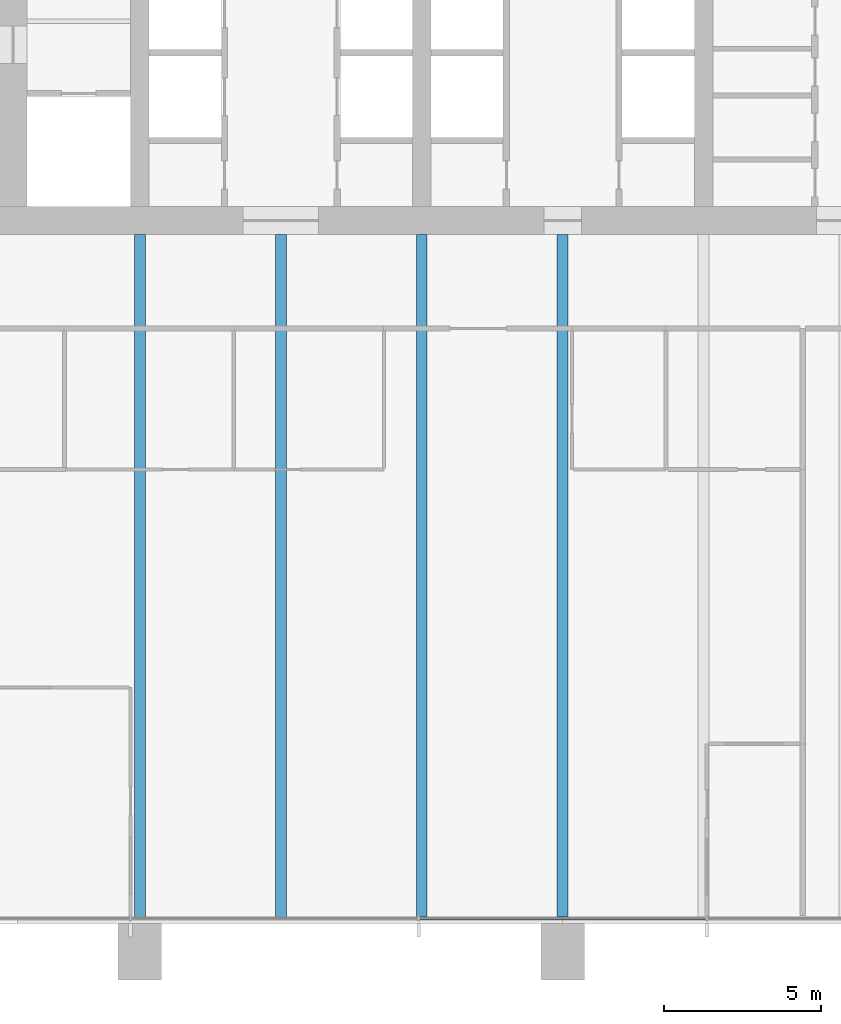
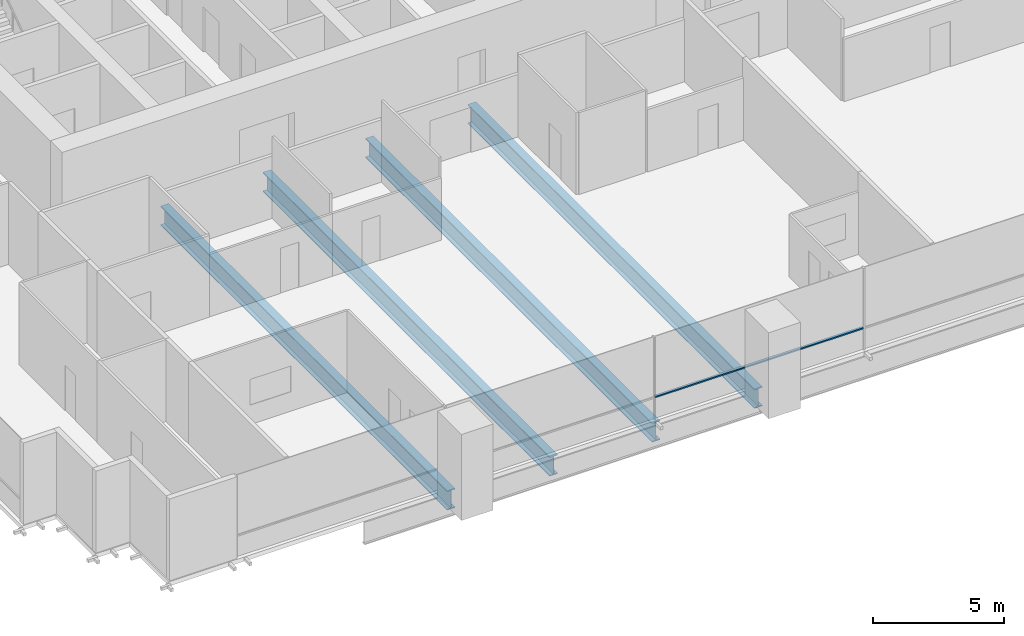
# One storey, part 3 of 16: 4 beams, 1 member, 1 element without a shape of its own.
"""IFC4 building model written with IfcOpenShell, lengths in metres."""

from ifc_helpers import new_model, si_unit, direction, frame, origin, origin_2d, place, context, subcontext, project, spatial, rectangle, i_section, extrude, material, material_profile, profile_set, type_object, element, aggregate, save


model = new_model("IFC4")

# Units and contexts
model_context = context("Model", 3, precision=1e-05, world=origin(), true_north=direction((0.0, 1.0)))
body_context = subcontext(model_context, "Body", "Model", "MODEL_VIEW")
ifc_project = project(units=[si_unit("LENGTHUNIT", "METRE"), si_unit("AREAUNIT", "SQUARE_METRE"), si_unit("VOLUMEUNIT", "CUBIC_METRE"), si_unit("PLANEANGLEUNIT", "RADIAN"), si_unit("MASSUNIT", "GRAM", prefix="KILO")], contexts=[model_context])

# Site, building, storey
site_placement = place(None, origin())
site = spatial("IfcSite", under=ifc_project, at=site_placement, CompositionType="ELEMENT")
building_placement = place(site_placement, origin())
building = spatial("IfcBuilding", under=site, at=building_placement, Name="Rattan Terrace Tower", CompositionType="ELEMENT")
storey_placement = place(building_placement, frame((0.0, 0.0, 130.10009765625)))
storey = spatial("IfcBuildingStorey", under=building, at=storey_placement, Name="L29", CompositionType="ELEMENT", Elevation=130.10009765625)

# Curtain wall, member
ifc_material_1 = material(Name="Aluminium and glass", Category="aluminium")
curtain_wall_type = type_object("IfcCurtainWallType", Name="Facade Unitised Curtain Wall", PredefinedType="NOTDEFINED", material=ifc_material_1)
curtain_wall_placement = place(storey_placement, origin())
curtain_wall = element("IfcCurtainWall", 1, at=curtain_wall_placement, inside=storey, type_object=curtain_wall_type, Name="Curtain wall L29-4", PredefinedType="NOTDEFINED")
ifc_material_2 = material(Name="Aluminium", Category="aluminium")
ifc_material_profile_1 = material_profile(ifc_material_2, rectangle(XDim=0.1201171875, YDim=0.06005859375, at=origin_2d()), Name="Aluminium 120x60")
ifc_profile_set_1 = profile_set([ifc_material_profile_1], Name="Aluminium")
member_type = type_object("IfcMemberType", Name="Facade CW Transom 120x60", PredefinedType="USERDEFINED", material=ifc_profile_set_1)
member_placement = place(storey_placement, frame((-4.568115234375, -29.330078125, 1.0), z_axis=(1.0, 0.0, 0.0), x_axis=(0.0, 1.0, 0.0)))
member = element("IfcMember", 2, at=member_placement, type_object=member_type, Name="Transom cwl-L29-004.3", ObjectType="TRANSOM", PredefinedType="USERDEFINED", context=body_context, shape_type="SweptSolid", body=[
    extrude(rectangle(XDim=0.1201171875, YDim=0.06005859375, at=origin_2d()), origin(), (0.0, 0.0, 1.0), 9.14111328125),
])
aggregate(curtain_wall, [member])

# Beams
ifc_material_3 = material(Name="Steel S460", Category="steel")
ifc_material_profile_2 = material_profile(ifc_material_3, i_section(OverallWidth=0.35009765625, OverallDepth=0.89990234375, WebThickness=0.013916015625, FlangeThickness=0.0400390625, at=origin_2d()), Name="PG 900x350-14-40")
ifc_profile_set_2 = profile_set([ifc_material_profile_2], Name="Steel S460")
beam_type = type_object("IfcBeamType", Name="Frame floor beam PG 900x350-14-40", PredefinedType="JOIST", material=ifc_profile_set_2)
for number, where, z_axis, x_axis, name in (
    (3, (-13.5, -29.320068359375, -0.650146484375), (0.0, 1.0, 0.0), (-1.0, 0.0, 0.0), "bm-L29-003"),
    (4, (-9.0, -29.320068359375, -0.650146484375), (0.0, 1.0, 0.0), (-1.0, 0.0, 0.0), "bm-L29-004"),
    (5, (-4.5, -29.320068359375, -0.650146484375), (0.0, 1.0, 0.0), (-1.0, 0.0, 0.0), "bm-L29-005"),
    (6, (0.0, -29.320068359375, -0.650146484375), (0.0, 1.0, 0.0), (-1.0, 0.0, 0.0), "bm-L29-006"),
):
    element("IfcBeam", number, at=place(storey_placement, frame(where, z_axis=z_axis, x_axis=x_axis)), inside=storey, type_object=beam_type, Name=name, PredefinedType="JOIST", context=body_context, shape_type="SweptSolid", body=[
        extrude(i_section(OverallWidth=0.35009765625, OverallDepth=0.89990234375, WebThickness=0.013916015625, FlangeThickness=0.0400390625, at=origin_2d()), origin(), (0.0, 0.0, 1.0), 21.820068359375),
    ])

save(model, "model.ifc")
